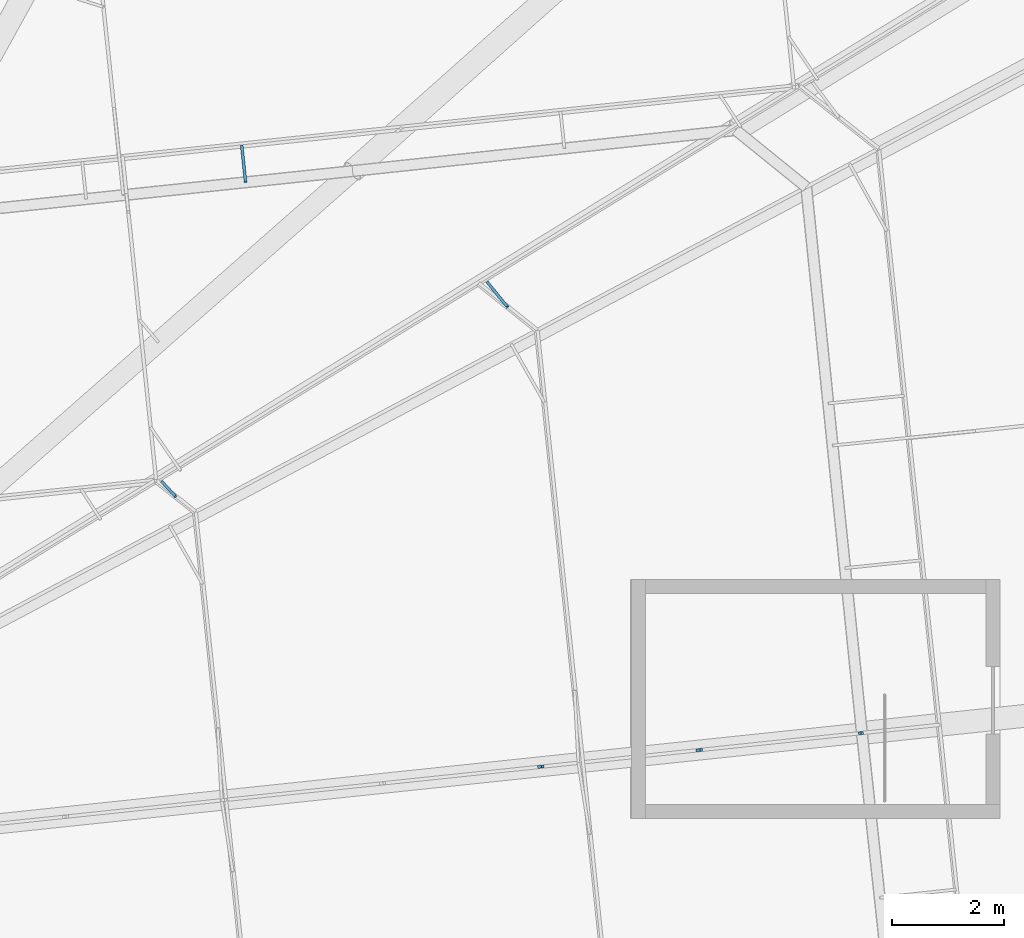
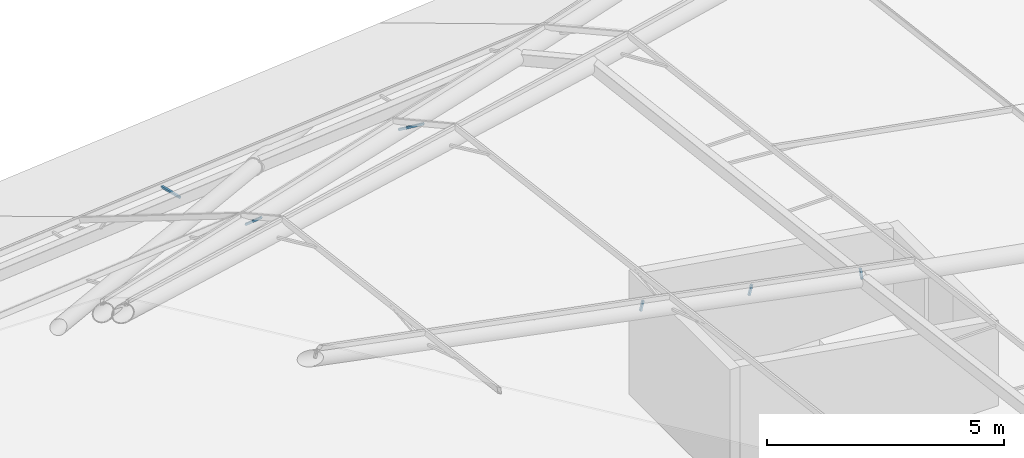
# One storey, part 16 of 20: 6 discrete accessories.
"""IFC4 building model written with IfcOpenShell, lengths in metres."""

from ifc_helpers import new_model, si_unit, direction, frame, origin, origin_2d, place, context, subcontext, project, spatial, rectangle, extrude, material, material_profile, profile_set, type_object, element, save


model = new_model("IFC4")

# Units and contexts
model_context = context("Model", 3, precision=1e-05, world=origin(), true_north=direction((0.0, 1.0)))
body_context = subcontext(model_context, "Body", "Model", "MODEL_VIEW")
ifc_project = project(units=[si_unit("LENGTHUNIT", "METRE"), si_unit("AREAUNIT", "SQUARE_METRE"), si_unit("VOLUMEUNIT", "CUBIC_METRE"), si_unit("PLANEANGLEUNIT", "RADIAN"), si_unit("MASSUNIT", "GRAM", prefix="KILO")], contexts=[model_context])

# Site, building, storey
site_placement = place(None, origin())
site = spatial("IfcSite", under=ifc_project, at=site_placement, CompositionType="ELEMENT")
building_placement = place(site_placement, origin())
building = spatial("IfcBuilding", under=site, at=building_placement, Name="Hakoniwa Tower and Hamabe Station Hall", CompositionType="ELEMENT")
storey_placement = place(building_placement, frame((0.0, 0.0, 285.0)))
storey = spatial("IfcBuildingStorey", under=building, at=storey_placement, Name="Roof", CompositionType="ELEMENT", Elevation=285.0)

# Discrete accessories
ifc_material = material(Name="Stainless steel SUS304", Category="steel")
ifc_material_profile = material_profile(ifc_material, rectangle(XDim=0.050048828125, YDim=0.050048828125, at=origin_2d()), Name="CW-4 GLAZING BRACKET 50X50")
ifc_profile_set = profile_set([ifc_material_profile], Name="Stainless steel SUS304")
discrete_accessory_type = type_object("IfcDiscreteAccessoryType", Name="CW-4 GLAZING BRACKET 50X50", PredefinedType="BRACKET", material=ifc_profile_set)
discrete_accessory_1_placement = place(storey_placement, frame((11.791015625, 9.224609375, 6.513427734375), z_axis=(-0.542270837184, 0.593836468941, -0.5943909381), x_axis=(-0.738440711177, -0.674318408526, 0.0)))
element("IfcDiscreteAccessory", 1, at=discrete_accessory_1_placement, inside=storey, type_object=discrete_accessory_type, Name="Glazing bracket", PredefinedType="BRACKET", context=body_context, shape_type="SweptSolid", body=[
    extrude(rectangle(XDim=0.050048828125, YDim=0.050048828125, at=origin_2d()), origin(), (0.0, 0.0, 1.0), 0.4404296875),
])
discrete_accessory_2_placement = place(storey_placement, frame((17.6923828125, 12.59765625, 4.8134765625), z_axis=(-0.560031481945, 0.688500242226, -0.460795134182), x_axis=(-0.775769211171, -0.631016743835, 0.0)))
element("IfcDiscreteAccessory", 2, at=discrete_accessory_2_placement, inside=storey, type_object=discrete_accessory_type, Name="Glazing bracket", PredefinedType="BRACKET", context=body_context, shape_type="SweptSolid", body=[
    extrude(rectangle(XDim=0.050048828125, YDim=0.050048828125, at=origin_2d()), origin(), (0.0, 0.0, 1.0), 0.634765625),
])
discrete_accessory_3_placement = place(storey_placement, frame((18.3193359375, 4.425537109375, 4.99755859375), z_axis=(-0.257808652938, -0.026935232396, -0.96582047593), x_axis=(0.103912021641, -0.994586492849, 0.0)))
element("IfcDiscreteAccessory", 3, at=discrete_accessory_3_placement, inside=storey, type_object=discrete_accessory_type, Name="Glazing bracket", PredefinedType="BRACKET", context=body_context, shape_type="SweptSolid", body=[
    extrude(rectangle(XDim=0.050048828125, YDim=0.050048828125, at=origin_2d()), origin(), (0.0, 0.0, 1.0), 0.25390625),
])
discrete_accessory_4_placement = place(storey_placement, frame((21.137939453125, 4.7216796875, 4.24365234375), z_axis=(-0.258439267073, -0.027056818574, -0.965648524984), x_axis=(0.104124062019, -0.994564316527, 0.0)))
element("IfcDiscreteAccessory", 4, at=discrete_accessory_4_placement, inside=storey, type_object=discrete_accessory_type, Name="Glazing bracket", PredefinedType="BRACKET", context=body_context, shape_type="SweptSolid", body=[
    extrude(rectangle(XDim=0.050048828125, YDim=0.050048828125, at=origin_2d()), origin(), (0.0, 0.0, 1.0), 0.26171875),
])
discrete_accessory_5_placement = place(storey_placement, frame((23.956298828125, 5.017822265625, 3.48974609375), z_axis=(0.132751960795, 0.014193605871, -0.991047657006), x_axis=(-0.10631231063, 0.994332787656, 0.0)))
element("IfcDiscreteAccessory", 5, at=discrete_accessory_5_placement, inside=storey, type_object=discrete_accessory_type, Name="Glazing bracket", PredefinedType="BRACKET", context=body_context, shape_type="SweptSolid", body=[
    extrude(rectangle(XDim=0.050048828125, YDim=0.050048828125, at=origin_2d()), origin(), (0.0, 0.0, 1.0), 0.29248046875),
])
discrete_accessory_6_placement = place(storey_placement, frame((12.9658203125, 15.4765625, 3.106689453125), z_axis=(0.103576467532, -0.984885007061, 0.138828809113), x_axis=(0.994515502578, 0.104589268721, 0.0)))
element("IfcDiscreteAccessory", 6, at=discrete_accessory_6_placement, inside=storey, type_object=discrete_accessory_type, Name="Glazing bracket", PredefinedType="BRACKET", context=body_context, shape_type="SweptSolid", body=[
    extrude(rectangle(XDim=0.050048828125, YDim=0.050048828125, at=origin_2d()), origin(), (0.0, 0.0, 1.0), 0.671875),
])

save(model, "model.ifc")
